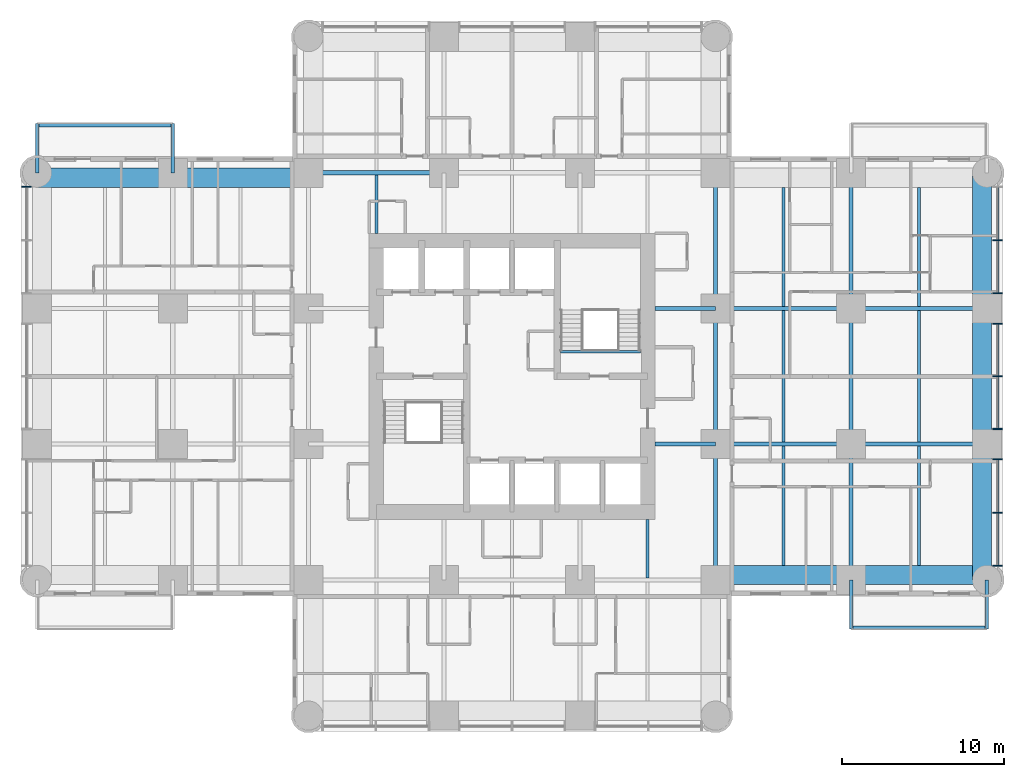
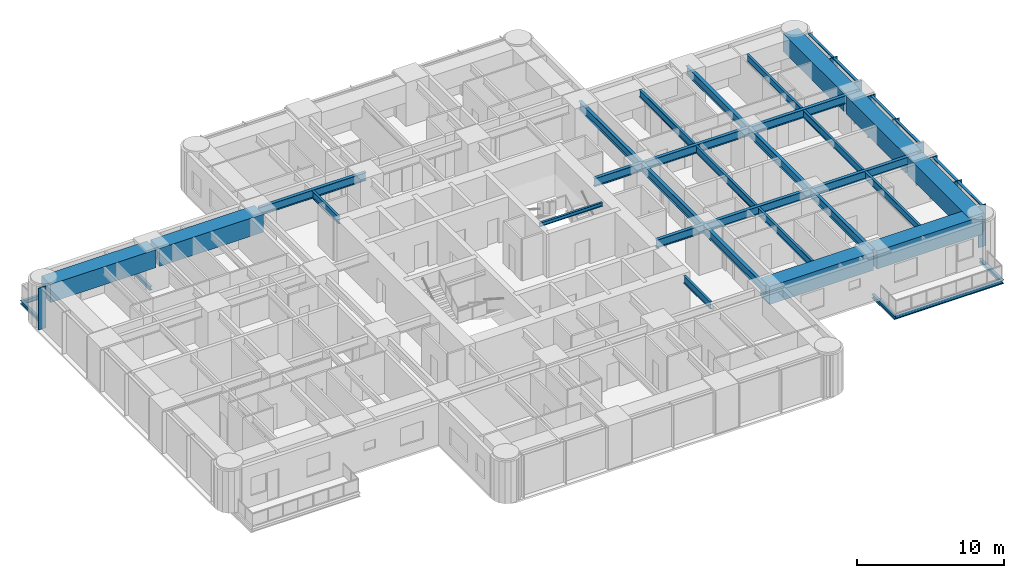
# One storey, part 3 of 14: 35 beams, 15 members, 2 elements without a shape of their own.
"""IFC4 building model written with IfcOpenShell, lengths in metres."""

from ifc_helpers import new_model, si_unit, direction, frame, origin, origin_2d, place, context, subcontext, project, spatial, rectangle, i_section, extrude, material, material_profile, profile_set, type_object, element, aggregate, save


model = new_model("IFC4")

# Units and contexts
model_context = context("Model", 3, precision=1e-05, world=origin(), true_north=direction((0.0, 1.0)))
body_context = subcontext(model_context, "Body", "Model", "MODEL_VIEW")
ifc_project = project(units=[si_unit("LENGTHUNIT", "METRE"), si_unit("AREAUNIT", "SQUARE_METRE"), si_unit("VOLUMEUNIT", "CUBIC_METRE"), si_unit("PLANEANGLEUNIT", "RADIAN"), si_unit("MASSUNIT", "GRAM", prefix="KILO")], contexts=[model_context])

# Site, building, storey
site_placement = place(None, origin())
site = spatial("IfcSite", under=ifc_project, at=site_placement, CompositionType="ELEMENT")
building_placement = place(site_placement, origin())
building = spatial("IfcBuilding", under=site, at=building_placement, Name="Torre Alcanfor", CompositionType="ELEMENT")
storey_placement = place(building_placement, frame((0.0, 0.0, 170.10009765625)))
storey = spatial("IfcBuildingStorey", under=building, at=storey_placement, Name="L44", CompositionType="ELEMENT", Elevation=170.10009765625)

# Beams
ifc_material_1 = material(Name="Steel ASTM A992 Grade 50", Category="steel")
ifc_material_profile_1 = material_profile(ifc_material_1, i_section(OverallWidth=0.205322265625, OverallDepth=0.309814453125, WebThickness=0.00927734375, FlangeThickness=0.016357421875, at=origin_2d()), Name="W12x50")
ifc_profile_set_1 = profile_set([ifc_material_profile_1], Name="Steel ASTM A992 Grade 50")
beam_type_1 = type_object("IfcBeamType", Name="Balcony cantilever beam W12x50", PredefinedType="BEAM", material=ifc_profile_set_1)
for number, where, z_axis, x_axis, name in (
    (1, (50.39990234375, 16.800048828125, -0.35498046875), (0.0, -1.0, 0.0), (1.0, 0.0, 0.0), "Balcony cantilever beam L44-E2 1"),
    (2, (58.800048828125, 16.800048828125, -0.35498046875), (0.0, -1.0, 0.0), (1.0, 0.0, 0.0), "Balcony cantilever beam L44-E2 2"),
    (3, (8.39990234375, 42.0, -0.35498046875), (0.0, 1.0, 0.0), (-1.0, 0.0, 0.0), "Balcony cantilever beam L44-W2 1"),
    (4, (0.0, 42.0, -0.35498046875), (0.0, 1.0, 0.0), (-1.0, 0.0, 0.0), "Balcony cantilever beam L44-W2 2"),
):
    element("IfcBeam", number, at=place(storey_placement, frame(where, z_axis=z_axis, x_axis=x_axis)), inside=storey, type_object=beam_type_1, Name=name, PredefinedType="BEAM", context=body_context, shape_type="SweptSolid", body=[
        extrude(i_section(OverallWidth=0.205322265625, OverallDepth=0.309814453125, WebThickness=0.00927734375, FlangeThickness=0.016357421875, at=origin_2d()), origin(), (0.0, 0.0, 1.0), 3.050048828125),
    ])
ifc_material_2 = material(Name="Steel ASTM A992 Grade 50", Category="steel")
ifc_material_profile_2 = material_profile(ifc_material_2, i_section(OverallWidth=0.203369140625, OverallDepth=0.30224609375, WebThickness=0.007568359375, FlangeThickness=0.01318359375, at=origin_2d()), Name="W12x40")
ifc_profile_set_2 = profile_set([ifc_material_profile_2], Name="Steel ASTM A992 Grade 50")
beam_type_2 = type_object("IfcBeamType", Name="Balcony edge trimmer W12x40", PredefinedType="BEAM", material=ifc_profile_set_2)
beam_1_placement = place(storey_placement, frame((50.39990234375, 13.851806640625, -0.351318359375), z_axis=(1.0, 0.0, 0.0), x_axis=(0.0, 1.0, 0.0)))
element("IfcBeam", 5, at=beam_1_placement, inside=storey, type_object=beam_type_2, Name="Balcony edge trimmer L44-E2", PredefinedType="BEAM", context=body_context, shape_type="SweptSolid", body=[
    extrude(i_section(OverallWidth=0.203369140625, OverallDepth=0.30224609375, WebThickness=0.007568359375, FlangeThickness=0.01318359375, at=origin_2d()), origin(), (0.0, 0.0, 1.0), 8.400146484375),
])
beam_2_placement = place(storey_placement, frame((8.39990234375, 44.9482421875, -0.351318359375), z_axis=(-1.0, 0.0, 0.0), x_axis=(0.0, -1.0, 0.0)))
element("IfcBeam", 6, at=beam_2_placement, inside=storey, type_object=beam_type_2, Name="Balcony edge trimmer L44-W2", PredefinedType="BEAM", context=body_context, shape_type="SweptSolid", body=[
    extrude(i_section(OverallWidth=0.203369140625, OverallDepth=0.30224609375, WebThickness=0.007568359375, FlangeThickness=0.01318359375, at=origin_2d()), origin(), (0.0, 0.0, 1.0), 8.39990234375),
])

# Curtain wall, member
ifc_material_3 = material(Name="Aluminium and glass", Category="aluminium")
curtain_wall_type = type_object("IfcCurtainWallType", Name="CW-A unitised apartment glazing with vertical FIN", PredefinedType="NOTDEFINED", material=ifc_material_3)
curtain_wall_1_placement = place(storey_placement, origin())
curtain_wall_1 = element("IfcCurtainWall", 7, at=curtain_wall_1_placement, inside=storey, type_object=curtain_wall_type, Name="Curtain wall CW-A L44 2", PredefinedType="NOTDEFINED")
ifc_material_4 = material(Name="Bronze anodised aluminium", Category="aluminium")
ifc_material_profile_3 = material_profile(ifc_material_4, rectangle(XDim=0.60009765625, YDim=0.06494140625, at=origin_2d()), Name="CW-A mullion 65x600")
ifc_profile_set_3 = profile_set([ifc_material_profile_3], Name="Bronze anodised aluminium")
member_type_1 = type_object("IfcMemberType", Name="CW-A mullion with vertical FIN 65x600", PredefinedType="MULLION", material=ifc_profile_set_3)
member_1_placement = place(storey_placement, frame((-0.64990234375, 41.133056640625, 0.0), z_axis=(0.0, 0.0, 1.0), x_axis=(1.0, 0.0, 0.0)))
member_1 = element("IfcMember", 8, at=member_1_placement, type_object=member_type_1, Name="CW-A mullion 1.1", PredefinedType="MULLION", context=body_context, shape_type="SweptSolid", body=[
    extrude(rectangle(XDim=0.60009765625, YDim=0.06494140625, at=origin_2d()), origin(), (0.0, 0.0, 1.0), 3.449951171875),
])
aggregate(curtain_wall_1, [member_1])

# Curtain wall, members
curtain_wall_2_placement = place(storey_placement, origin())
curtain_wall_2 = element("IfcCurtainWall", 9, at=curtain_wall_2_placement, inside=storey, type_object=curtain_wall_type, Name="Curtain wall CW-A L44 8", PredefinedType="NOTDEFINED")
member_2_placement = place(storey_placement, frame((59.449951171875, 17.6669921875, 0.0), z_axis=(0.0, 0.0, 1.0), x_axis=(-1.0, 0.0, 0.0)))
member_2 = element("IfcMember", 10, at=member_2_placement, type_object=member_type_1, Name="CW-A mullion 1.1", PredefinedType="MULLION", context=body_context, shape_type="SweptSolid", body=[
    extrude(rectangle(XDim=0.60009765625, YDim=0.06494140625, at=origin_2d()), origin(), (0.0, 0.0, 1.0), 3.449951171875),
])
member_3_placement = place(storey_placement, frame((59.449951171875, 20.96484375, 0.0), z_axis=(0.0, 0.0, 1.0), x_axis=(-1.0, 0.0, 0.0)))
member_3 = element("IfcMember", 11, at=member_3_placement, type_object=member_type_1, Name="CW-A mullion 1.2", PredefinedType="MULLION", context=body_context, shape_type="SweptSolid", body=[
    extrude(rectangle(XDim=0.60009765625, YDim=0.06494140625, at=origin_2d()), origin(), (0.0, 0.0, 1.0), 3.449951171875),
])
member_4_placement = place(storey_placement, frame((59.449951171875, 24.262451171875, 0.0), z_axis=(0.0, 0.0, 1.0), x_axis=(-1.0, 0.0, 0.0)))
member_4 = element("IfcMember", 12, at=member_4_placement, type_object=member_type_1, Name="CW-A mullion 1.3", PredefinedType="MULLION", context=body_context, shape_type="SweptSolid", body=[
    extrude(rectangle(XDim=0.60009765625, YDim=0.06494140625, at=origin_2d()), origin(), (0.0, 0.0, 1.0), 3.449951171875),
])
member_5_placement = place(storey_placement, frame((59.449951171875, 26.137451171875, 0.0), z_axis=(0.0, 0.0, 1.0), x_axis=(-1.0, 0.0, 0.0)))
member_5 = element("IfcMember", 13, at=member_5_placement, type_object=member_type_1, Name="CW-A mullion 2.1", PredefinedType="MULLION", context=body_context, shape_type="SweptSolid", body=[
    extrude(rectangle(XDim=0.60009765625, YDim=0.06494140625, at=origin_2d()), origin(), (0.0, 0.0, 1.0), 3.449951171875),
])
member_6_placement = place(storey_placement, frame((59.449951171875, 29.39990234375, 0.0), z_axis=(0.0, 0.0, 1.0), x_axis=(-1.0, 0.0, 0.0)))
member_6 = element("IfcMember", 14, at=member_6_placement, type_object=member_type_1, Name="CW-A mullion 2.2", PredefinedType="MULLION", context=body_context, shape_type="SweptSolid", body=[
    extrude(rectangle(XDim=0.60009765625, YDim=0.06494140625, at=origin_2d()), origin(), (0.0, 0.0, 1.0), 3.449951171875),
])
member_7_placement = place(storey_placement, frame((59.449951171875, 32.66259765625, 0.0), z_axis=(0.0, 0.0, 1.0), x_axis=(-1.0, 0.0, 0.0)))
member_7 = element("IfcMember", 15, at=member_7_placement, type_object=member_type_1, Name="CW-A mullion 2.3", PredefinedType="MULLION", context=body_context, shape_type="SweptSolid", body=[
    extrude(rectangle(XDim=0.60009765625, YDim=0.06494140625, at=origin_2d()), origin(), (0.0, 0.0, 1.0), 3.449951171875),
])
member_8_placement = place(storey_placement, frame((59.449951171875, 34.53759765625, 0.0), z_axis=(0.0, 0.0, 1.0), x_axis=(-1.0, 0.0, 0.0)))
member_8 = element("IfcMember", 16, at=member_8_placement, type_object=member_type_1, Name="CW-A mullion 3.1", PredefinedType="MULLION", context=body_context, shape_type="SweptSolid", body=[
    extrude(rectangle(XDim=0.60009765625, YDim=0.06494140625, at=origin_2d()), origin(), (0.0, 0.0, 1.0), 3.449951171875),
])
member_9_placement = place(storey_placement, frame((59.449951171875, 37.835205078125, 0.0), z_axis=(0.0, 0.0, 1.0), x_axis=(-1.0, 0.0, 0.0)))
member_9 = element("IfcMember", 17, at=member_9_placement, type_object=member_type_1, Name="CW-A mullion 3.2", PredefinedType="MULLION", context=body_context, shape_type="SweptSolid", body=[
    extrude(rectangle(XDim=0.60009765625, YDim=0.06494140625, at=origin_2d()), origin(), (0.0, 0.0, 1.0), 3.449951171875),
])
ifc_material_5 = material(Name="Extruded aluminium", Category="aluminium")
ifc_material_profile_4 = material_profile(ifc_material_5, rectangle(XDim=0.199951171875, YDim=0.06494140625, at=origin_2d()), Name="CW-A transom 200x65")
ifc_profile_set_4 = profile_set([ifc_material_profile_4], Name="Extruded aluminium")
member_type_2 = type_object("IfcMemberType", Name="CW-A transom 65x200", PredefinedType="USERDEFINED", material=ifc_profile_set_4)
member_10_placement = place(storey_placement, frame((59.449951171875, 17.699462890625, 3.41748046875), z_axis=(0.0, 1.0, 0.0), x_axis=(-1.0, 0.0, 0.0)))
member_10 = element("IfcMember", 18, at=member_10_placement, type_object=member_type_2, Name="CW-A transom 1.1.2", ObjectType="TRANSOM", PredefinedType="USERDEFINED", context=body_context, shape_type="SweptSolid", body=[
    extrude(rectangle(XDim=0.199951171875, YDim=0.06494140625, at=origin_2d()), origin(), (0.0, 0.0, 1.0), 3.232666015625),
])
member_11_placement = place(storey_placement, frame((59.449951171875, 20.997314453125, 3.41748046875), z_axis=(0.0, 1.0, 0.0), x_axis=(-1.0, 0.0, 0.0)))
member_11 = element("IfcMember", 19, at=member_11_placement, type_object=member_type_2, Name="CW-A transom 1.2.2", ObjectType="TRANSOM", PredefinedType="USERDEFINED", context=body_context, shape_type="SweptSolid", body=[
    extrude(rectangle(XDim=0.199951171875, YDim=0.06494140625, at=origin_2d()), origin(), (0.0, 0.0, 1.0), 3.232666015625),
])
member_12_placement = place(storey_placement, frame((59.449951171875, 26.169921875, 3.41748046875), z_axis=(0.0, 1.0, 0.0), x_axis=(-1.0, 0.0, 0.0)))
member_12 = element("IfcMember", 20, at=member_12_placement, type_object=member_type_2, Name="CW-A transom 2.1.2", ObjectType="TRANSOM", PredefinedType="USERDEFINED", context=body_context, shape_type="SweptSolid", body=[
    extrude(rectangle(XDim=0.199951171875, YDim=0.06494140625, at=origin_2d()), origin(), (0.0, 0.0, 1.0), 3.197509765625),
])
member_13_placement = place(storey_placement, frame((59.449951171875, 29.4326171875, 3.41748046875), z_axis=(0.0, 1.0, 0.0), x_axis=(-1.0, 0.0, 0.0)))
member_13 = element("IfcMember", 21, at=member_13_placement, type_object=member_type_2, Name="CW-A transom 2.2.2", ObjectType="TRANSOM", PredefinedType="USERDEFINED", context=body_context, shape_type="SweptSolid", body=[
    extrude(rectangle(XDim=0.199951171875, YDim=0.06494140625, at=origin_2d()), origin(), (0.0, 0.0, 1.0), 3.197265625),
])
member_14_placement = place(storey_placement, frame((59.449951171875, 34.570068359375, 3.41748046875), z_axis=(0.0, 1.0, 0.0), x_axis=(-1.0, 0.0, 0.0)))
member_14 = element("IfcMember", 22, at=member_14_placement, type_object=member_type_2, Name="CW-A transom 3.1.2", ObjectType="TRANSOM", PredefinedType="USERDEFINED", context=body_context, shape_type="SweptSolid", body=[
    extrude(rectangle(XDim=0.199951171875, YDim=0.06494140625, at=origin_2d()), origin(), (0.0, 0.0, 1.0), 3.232666015625),
])
member_15_placement = place(storey_placement, frame((59.449951171875, 37.86767578125, 3.41748046875), z_axis=(0.0, 1.0, 0.0), x_axis=(-1.0, 0.0, 0.0)))
member_15 = element("IfcMember", 23, at=member_15_placement, type_object=member_type_2, Name="CW-A transom 3.2.2", ObjectType="TRANSOM", PredefinedType="USERDEFINED", context=body_context, shape_type="SweptSolid", body=[
    extrude(rectangle(XDim=0.199951171875, YDim=0.06494140625, at=origin_2d()), origin(), (0.0, 0.0, 1.0), 3.23291015625),
])
aggregate(curtain_wall_2, [member_2, member_3, member_4, member_10, member_11, member_5, member_6, member_7, member_12, member_13, member_8, member_9, member_14, member_15])

# Beams
ifc_material_6 = material(Name="Steel ASTM A992 Grade 50", Category="steel")
ifc_material_profile_5 = material_profile(ifc_material_6, i_section(OverallWidth=0.25390625, OverallDepth=0.683349609375, WebThickness=0.012451171875, FlangeThickness=0.01904296875, at=origin_2d()), Name="W27x94")
ifc_profile_set_5 = profile_set([ifc_material_profile_5], Name="Steel ASTM A992 Grade 50")
beam_type_3 = type_object("IfcBeamType", Name="Girder W27x94", PredefinedType="BEAM", material=ifc_profile_set_5)
beam_3_placement = place(storey_placement, frame((42.0, 25.199951171875, 3.108154296875), z_axis=(1.0, 0.0, 0.0), x_axis=(0.0, 1.0, 0.0)))
element("IfcBeam", 24, at=beam_3_placement, inside=storey, type_object=beam_type_3, Name="Beam 6F-7F under L45", PredefinedType="BEAM", context=body_context, shape_type="SweptSolid", body=[
    extrude(i_section(OverallWidth=0.25390625, OverallDepth=0.683349609375, WebThickness=0.012451171875, FlangeThickness=0.01904296875, at=origin_2d()), origin(), (0.0, 0.0, 1.0), 8.39990234375),
])
beam_4_placement = place(storey_placement, frame((50.39990234375, 25.199951171875, 3.108154296875), z_axis=(1.0, 0.0, 0.0), x_axis=(0.0, 1.0, 0.0)))
element("IfcBeam", 25, at=beam_4_placement, inside=storey, type_object=beam_type_3, Name="Beam 7F-8F under L45", PredefinedType="BEAM", context=body_context, shape_type="SweptSolid", body=[
    extrude(i_section(OverallWidth=0.25390625, OverallDepth=0.683349609375, WebThickness=0.012451171875, FlangeThickness=0.01904296875, at=origin_2d()), origin(), (0.0, 0.0, 1.0), 8.400146484375),
])
beam_5_placement = place(storey_placement, frame((42.0, 33.60009765625, 3.108154296875), z_axis=(1.0, 0.0, 0.0), x_axis=(0.0, 1.0, 0.0)))
element("IfcBeam", 26, at=beam_5_placement, inside=storey, type_object=beam_type_3, Name="Beam 6G-7G under L45", PredefinedType="BEAM", context=body_context, shape_type="SweptSolid", body=[
    extrude(i_section(OverallWidth=0.25390625, OverallDepth=0.683349609375, WebThickness=0.012451171875, FlangeThickness=0.01904296875, at=origin_2d()), origin(), (0.0, 0.0, 1.0), 8.39990234375),
])
beam_6_placement = place(storey_placement, frame((50.39990234375, 33.60009765625, 3.108154296875), z_axis=(1.0, 0.0, 0.0), x_axis=(0.0, 1.0, 0.0)))
element("IfcBeam", 27, at=beam_6_placement, inside=storey, type_object=beam_type_3, Name="Beam 7G-8G under L45", PredefinedType="BEAM", context=body_context, shape_type="SweptSolid", body=[
    extrude(i_section(OverallWidth=0.25390625, OverallDepth=0.683349609375, WebThickness=0.012451171875, FlangeThickness=0.01904296875, at=origin_2d()), origin(), (0.0, 0.0, 1.0), 8.400146484375),
])
for number, where, z_axis, x_axis, name in (
    (28, (16.800048828125, 42.0, 3.108154296875), (1.0, 0.0, 0.0), (0.0, 1.0, 0.0), "Beam 3H-4H under L45"),
    (29, (42.0, 16.800048828125, 3.108154296875), (0.0, 1.0, 0.0), (-1.0, 0.0, 0.0), "Beam 6E-6F under L45"),
):
    element("IfcBeam", number, at=place(storey_placement, frame(where, z_axis=z_axis, x_axis=x_axis)), inside=storey, type_object=beam_type_3, Name=name, PredefinedType="BEAM", context=body_context, shape_type="SweptSolid", body=[
        extrude(i_section(OverallWidth=0.25390625, OverallDepth=0.683349609375, WebThickness=0.012451171875, FlangeThickness=0.01904296875, at=origin_2d()), origin(), (0.0, 0.0, 1.0), 8.39990234375),
    ])
beam_7_placement = place(storey_placement, frame((42.0, 25.199951171875, 3.108154296875), z_axis=(0.0, 1.0, 0.0), x_axis=(-1.0, 0.0, 0.0)))
element("IfcBeam", 30, at=beam_7_placement, inside=storey, type_object=beam_type_3, Name="Beam 6F-6G under L45", PredefinedType="BEAM", context=body_context, shape_type="SweptSolid", body=[
    extrude(i_section(OverallWidth=0.25390625, OverallDepth=0.683349609375, WebThickness=0.012451171875, FlangeThickness=0.01904296875, at=origin_2d()), origin(), (0.0, 0.0, 1.0), 8.400146484375),
])
for number, where, z_axis, x_axis, name in (
    (31, (42.0, 33.60009765625, 3.108154296875), (0.0, 1.0, 0.0), (-1.0, 0.0, 0.0), "Beam 6G-6H under L45"),
    (32, (50.39990234375, 16.800048828125, 3.108154296875), (0.0, 1.0, 0.0), (-1.0, 0.0, 0.0), "Beam 7E-7F under L45"),
):
    element("IfcBeam", number, at=place(storey_placement, frame(where, z_axis=z_axis, x_axis=x_axis)), inside=storey, type_object=beam_type_3, Name=name, PredefinedType="BEAM", context=body_context, shape_type="SweptSolid", body=[
        extrude(i_section(OverallWidth=0.25390625, OverallDepth=0.683349609375, WebThickness=0.012451171875, FlangeThickness=0.01904296875, at=origin_2d()), origin(), (0.0, 0.0, 1.0), 8.39990234375),
    ])
beam_8_placement = place(storey_placement, frame((50.39990234375, 25.199951171875, 3.108154296875), z_axis=(0.0, 1.0, 0.0), x_axis=(-1.0, 0.0, 0.0)))
element("IfcBeam", 33, at=beam_8_placement, inside=storey, type_object=beam_type_3, Name="Beam 7F-7G under L45", PredefinedType="BEAM", context=body_context, shape_type="SweptSolid", body=[
    extrude(i_section(OverallWidth=0.25390625, OverallDepth=0.683349609375, WebThickness=0.012451171875, FlangeThickness=0.01904296875, at=origin_2d()), origin(), (0.0, 0.0, 1.0), 8.400146484375),
])
beam_9_placement = place(storey_placement, frame((50.39990234375, 33.60009765625, 3.108154296875), z_axis=(0.0, 1.0, 0.0), x_axis=(-1.0, 0.0, 0.0)))
element("IfcBeam", 34, at=beam_9_placement, inside=storey, type_object=beam_type_3, Name="Beam 7G-7H under L45", PredefinedType="BEAM", context=body_context, shape_type="SweptSolid", body=[
    extrude(i_section(OverallWidth=0.25390625, OverallDepth=0.683349609375, WebThickness=0.012451171875, FlangeThickness=0.01904296875, at=origin_2d()), origin(), (0.0, 0.0, 1.0), 8.39990234375),
])
ifc_material_7 = material(Name="Steel ASTM A992 Grade 50", Category="steel")
ifc_material_profile_6 = material_profile(ifc_material_7, i_section(OverallWidth=0.25390625, OverallDepth=0.683349609375, WebThickness=0.012451171875, FlangeThickness=0.01904296875, at=origin_2d()), Name="W27x94")
ifc_profile_set_6 = profile_set([ifc_material_profile_6], Name="Steel ASTM A992 Grade 50")
beam_type_4 = type_object("IfcBeamType", Name="Girder, part bay W27x94", PredefinedType="BEAM", material=ifc_profile_set_6)
for number, where, z_axis, x_axis, name in (
    (35, (42.0, 25.199951171875, 3.108154296875), (-1.0, 0.0, 0.0), (0.0, -1.0, 0.0), "Beam 6F-38_25F under L45"),
    (36, (42.0, 33.60009765625, 3.108154296875), (-1.0, 0.0, 0.0), (0.0, -1.0, 0.0), "Beam 6G-38_25G under L45"),
):
    element("IfcBeam", number, at=place(storey_placement, frame(where, z_axis=z_axis, x_axis=x_axis)), inside=storey, type_object=beam_type_4, Name=name, PredefinedType="BEAM", context=body_context, shape_type="SweptSolid", body=[
        extrude(i_section(OverallWidth=0.25390625, OverallDepth=0.683349609375, WebThickness=0.012451171875, FlangeThickness=0.01904296875, at=origin_2d()), origin(), (0.0, 0.0, 1.0), 3.75),
    ])
ifc_material_8 = material(Name="Concrete f'c 70 MPa", Category="concrete")
ifc_material_profile_7 = material_profile(ifc_material_8, rectangle(XDim=1.199951171875, YDim=1.5, at=origin_2d()), Name="1200x1500")
ifc_profile_set_7 = profile_set([ifc_material_profile_7], Name="Concrete f'c 70 MPa")
beam_type_5 = type_object("IfcBeamType", Name="RC perimeter beam 1200x1500", PredefinedType="BEAM", material=ifc_profile_set_7)
beam_10_placement = place(storey_placement, frame((42.126953125, 17.10009765625, 2.699951171875), z_axis=(1.0, 0.0, 0.0), x_axis=(0.0, 1.0, 0.0)))
element("IfcBeam", 37, at=beam_10_placement, inside=storey, type_object=beam_type_5, Name="Beam 6E-7E under L45", PredefinedType="BEAM", context=body_context, shape_type="SweptSolid", body=[
    extrude(rectangle(XDim=1.199951171875, YDim=1.5, at=origin_2d()), origin(), (0.0, 0.0, 1.0), 8.14599609375),
])
for number, where, z_axis, x_axis, name in (
    (38, (50.527099609375, 17.10009765625, 2.699951171875), (1.0, 0.0, 0.0), (0.0, 1.0, 0.0), "Beam 7E-8E under L45"),
    (39, (0.0, 41.699951171875, 2.699951171875), (1.0, 0.0, 0.0), (0.0, 1.0, 0.0), "Beam 1H-2H under L45"),
):
    element("IfcBeam", number, at=place(storey_placement, frame(where, z_axis=z_axis, x_axis=x_axis)), inside=storey, type_object=beam_type_5, Name=name, PredefinedType="BEAM", context=body_context, shape_type="SweptSolid", body=[
        extrude(rectangle(XDim=1.199951171875, YDim=1.5, at=origin_2d()), origin(), (0.0, 0.0, 1.0), 8.27294921875),
    ])
beam_11_placement = place(storey_placement, frame((8.527099609375, 41.699951171875, 2.699951171875), z_axis=(1.0, 0.0, 0.0), x_axis=(0.0, 1.0, 0.0)))
element("IfcBeam", 40, at=beam_11_placement, inside=storey, type_object=beam_type_5, Name="Beam 2H-3H under L45", PredefinedType="BEAM", context=body_context, shape_type="SweptSolid", body=[
    extrude(rectangle(XDim=1.199951171875, YDim=1.5, at=origin_2d()), origin(), (0.0, 0.0, 1.0), 8.14599609375),
])
beam_12_placement = place(storey_placement, frame((58.5, 16.800048828125, 2.699951171875), z_axis=(0.0, 1.0, 0.0), x_axis=(-1.0, 0.0, 0.0)))
element("IfcBeam", 41, at=beam_12_placement, inside=storey, type_object=beam_type_5, Name="Beam 8E-8F under L45", PredefinedType="BEAM", context=body_context, shape_type="SweptSolid", body=[
    extrude(rectangle(XDim=1.199951171875, YDim=1.5, at=origin_2d()), origin(), (0.0, 0.0, 1.0), 8.27294921875),
])
beam_13_placement = place(storey_placement, frame((58.5, 25.326904296875, 2.699951171875), z_axis=(0.0, 1.0, 0.0), x_axis=(-1.0, 0.0, 0.0)))
element("IfcBeam", 42, at=beam_13_placement, inside=storey, type_object=beam_type_5, Name="Beam 8F-8G under L45", PredefinedType="BEAM", context=body_context, shape_type="SweptSolid", body=[
    extrude(rectangle(XDim=1.199951171875, YDim=1.5, at=origin_2d()), origin(), (0.0, 0.0, 1.0), 8.14599609375),
])
beam_14_placement = place(storey_placement, frame((58.5, 33.72705078125, 2.699951171875), z_axis=(0.0, 1.0, 0.0), x_axis=(-1.0, 0.0, 0.0)))
element("IfcBeam", 43, at=beam_14_placement, inside=storey, type_object=beam_type_5, Name="Beam 8G-8H under L45", PredefinedType="BEAM", context=body_context, shape_type="SweptSolid", body=[
    extrude(rectangle(XDim=1.199951171875, YDim=1.5, at=origin_2d()), origin(), (0.0, 0.0, 1.0), 8.27294921875),
])
ifc_material_9 = material(Name="Steel ASTM A992 Grade 50", Category="steel")
ifc_material_profile_8 = material_profile(ifc_material_9, i_section(OverallWidth=0.1787109375, OverallDepth=0.60205078125, WebThickness=0.010986328125, FlangeThickness=0.014892578125, at=origin_2d()), Name="W24x62")
ifc_profile_set_8 = profile_set([ifc_material_profile_8], Name="Steel ASTM A992 Grade 50")
beam_type_6 = type_object("IfcBeamType", Name="Secondary beam W24x62", PredefinedType="BEAM", material=ifc_profile_set_8)
beam_15_placement = place(storey_placement, frame((46.199951171875, 17.699951171875, 3.14892578125), z_axis=(0.0, 1.0, 0.0), x_axis=(-1.0, 0.0, 0.0)))
element("IfcBeam", 44, at=beam_15_placement, inside=storey, type_object=beam_type_6, Name="Beam 46_2E-46_2F under L45", PredefinedType="BEAM", context=body_context, shape_type="SweptSolid", body=[
    extrude(i_section(OverallWidth=0.1787109375, OverallDepth=0.60205078125, WebThickness=0.010986328125, FlangeThickness=0.014892578125, at=origin_2d()), origin(), (0.0, 0.0, 1.0), 7.373046875),
])
beam_16_placement = place(storey_placement, frame((46.199951171875, 25.326904296875, 3.14892578125), z_axis=(0.0, 1.0, 0.0), x_axis=(-1.0, 0.0, 0.0)))
element("IfcBeam", 45, at=beam_16_placement, inside=storey, type_object=beam_type_6, Name="Beam 46_2F-46_2G under L45", PredefinedType="BEAM", context=body_context, shape_type="SweptSolid", body=[
    extrude(i_section(OverallWidth=0.1787109375, OverallDepth=0.60205078125, WebThickness=0.010986328125, FlangeThickness=0.014892578125, at=origin_2d()), origin(), (0.0, 0.0, 1.0), 8.14599609375),
])
for number, where, z_axis, x_axis, name in (
    (46, (46.199951171875, 33.72705078125, 3.14892578125), (0.0, 1.0, 0.0), (-1.0, 0.0, 0.0), "Beam 46_2G-46_2H under L45"),
    (47, (54.60009765625, 17.699951171875, 3.14892578125), (0.0, 1.0, 0.0), (-1.0, 0.0, 0.0), "Beam 54_6E-54_6F under L45"),
):
    element("IfcBeam", number, at=place(storey_placement, frame(where, z_axis=z_axis, x_axis=x_axis)), inside=storey, type_object=beam_type_6, Name=name, PredefinedType="BEAM", context=body_context, shape_type="SweptSolid", body=[
        extrude(i_section(OverallWidth=0.1787109375, OverallDepth=0.60205078125, WebThickness=0.010986328125, FlangeThickness=0.014892578125, at=origin_2d()), origin(), (0.0, 0.0, 1.0), 7.373046875),
    ])
beam_17_placement = place(storey_placement, frame((54.60009765625, 25.326904296875, 3.14892578125), z_axis=(0.0, 1.0, 0.0), x_axis=(-1.0, 0.0, 0.0)))
element("IfcBeam", 48, at=beam_17_placement, inside=storey, type_object=beam_type_6, Name="Beam 54_6F-54_6G under L45", PredefinedType="BEAM", context=body_context, shape_type="SweptSolid", body=[
    extrude(i_section(OverallWidth=0.1787109375, OverallDepth=0.60205078125, WebThickness=0.010986328125, FlangeThickness=0.014892578125, at=origin_2d()), origin(), (0.0, 0.0, 1.0), 8.14599609375),
])
beam_18_placement = place(storey_placement, frame((54.60009765625, 33.72705078125, 3.14892578125), z_axis=(0.0, 1.0, 0.0), x_axis=(-1.0, 0.0, 0.0)))
element("IfcBeam", 49, at=beam_18_placement, inside=storey, type_object=beam_type_6, Name="Beam 54_6G-54_6H under L45", PredefinedType="BEAM", context=body_context, shape_type="SweptSolid", body=[
    extrude(i_section(OverallWidth=0.1787109375, OverallDepth=0.60205078125, WebThickness=0.010986328125, FlangeThickness=0.014892578125, at=origin_2d()), origin(), (0.0, 0.0, 1.0), 7.373046875),
])
ifc_material_10 = material(Name="Steel ASTM A992 Grade 50", Category="steel")
ifc_material_profile_9 = material_profile(ifc_material_10, i_section(OverallWidth=0.1787109375, OverallDepth=0.60205078125, WebThickness=0.010986328125, FlangeThickness=0.014892578125, at=origin_2d()), Name="W24x62")
ifc_profile_set_9 = profile_set([ifc_material_profile_9], Name="Steel ASTM A992 Grade 50")
beam_type_7 = type_object("IfcBeamType", Name="Secondary beam, part bay W24x62", PredefinedType="BEAM", material=ifc_profile_set_9)
for number, where, z_axis, x_axis, name in (
    (50, (21.0, 38.25, 3.14892578125), (0.0, 1.0, 0.0), (-1.0, 0.0, 0.0), "Beam 2138_25-21H under L45"),
    (51, (37.800048828125, 16.927001953125, 3.14892578125), (0.0, 1.0, 0.0), (-1.0, 0.0, 0.0), "Beam 37_8E-37_820_55 under L45"),
):
    element("IfcBeam", number, at=place(storey_placement, frame(where, z_axis=z_axis, x_axis=x_axis)), inside=storey, type_object=beam_type_7, Name=name, PredefinedType="BEAM", context=body_context, shape_type="SweptSolid", body=[
        extrude(i_section(OverallWidth=0.1787109375, OverallDepth=0.60205078125, WebThickness=0.010986328125, FlangeThickness=0.014892578125, at=origin_2d()), origin(), (0.0, 0.0, 1.0), 3.623046875),
    ])
ifc_material_11 = material(Name="Steel ASTM A992 Grade 50", Category="steel")
ifc_material_profile_10 = material_profile(ifc_material_11, i_section(OverallWidth=0.164794921875, OverallDepth=0.309814453125, WebThickness=0.005859375, FlangeThickness=0.009765625, at=origin_2d()), Name="W12x26")
ifc_profile_set_10 = profile_set([ifc_material_profile_10], Name="Steel ASTM A992 Grade 50")
beam_type_8 = type_object("IfcBeamType", Name="Stair landing beam W12x26", PredefinedType="BEAM", material=ifc_profile_set_10)
beam_19_placement = place(storey_placement, frame((32.39990234375, 30.91259765625, 3.244873046875), z_axis=(1.0, 0.0, 0.0), x_axis=(0.0, 1.0, 0.0)))
element("IfcBeam", 52, at=beam_19_placement, inside=storey, type_object=beam_type_8, Name="Landing trimmer S2 L45", PredefinedType="BEAM", context=body_context, shape_type="SweptSolid", body=[
    extrude(i_section(OverallWidth=0.164794921875, OverallDepth=0.309814453125, WebThickness=0.005859375, FlangeThickness=0.009765625, at=origin_2d()), origin(), (0.0, 0.0, 1.0), 4.9501953125),
])

save(model, "model.ifc")
